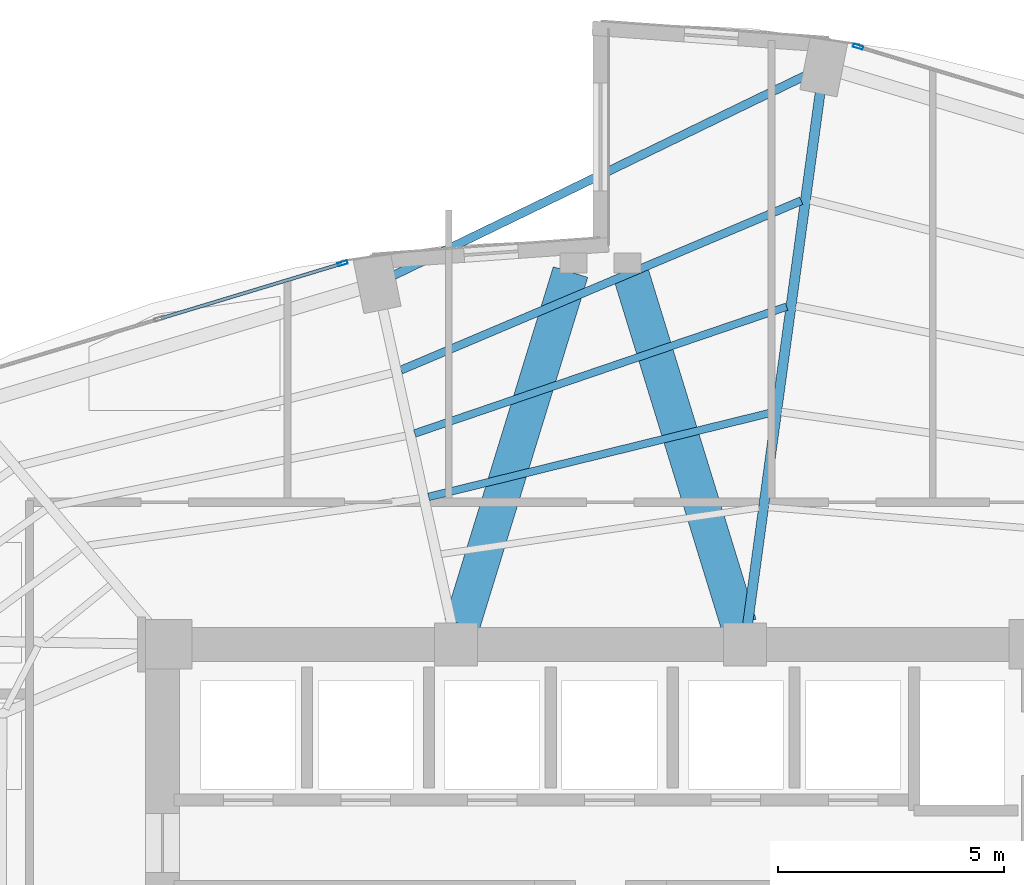
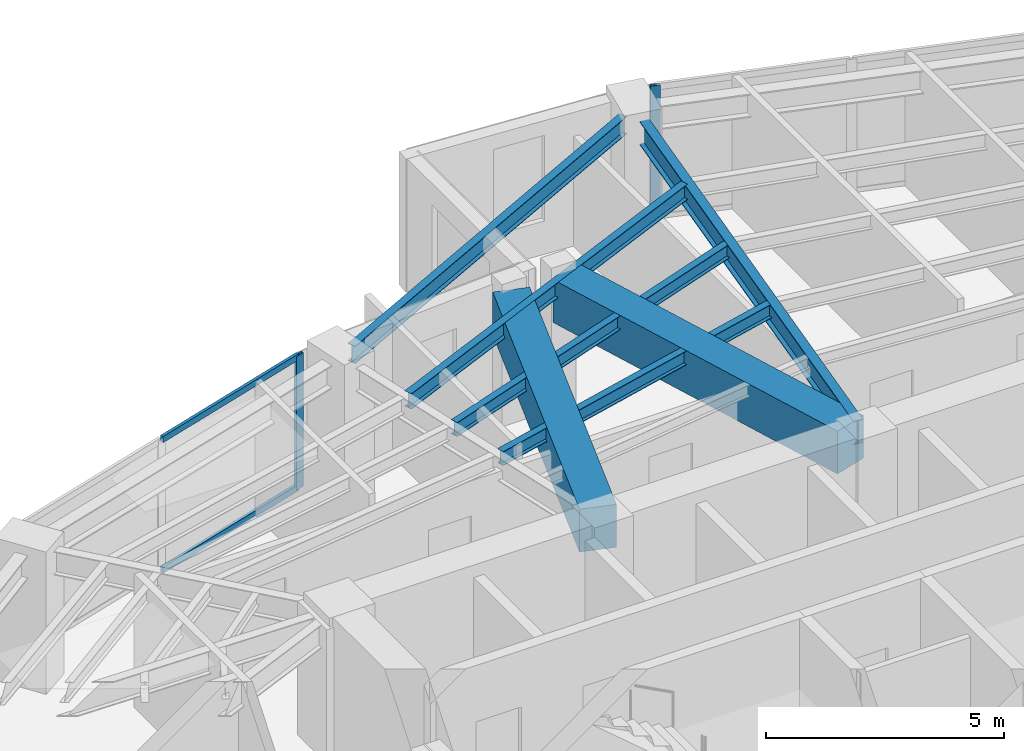
# One storey, part 15 of 23: 7 beams, 4 members, 2 elements without a shape of their own.
"""IFC4 building model written with IfcOpenShell, lengths in metres."""

import ifcopenshell
import ifcopenshell.guid

model = None  # the IFC model being written
_history = None  # IfcOwnerHistory: only IFC2X3 demands one
_inside = {}  # id of a spatial element -> (the spatial element, [elements in it])
_under = {}  # id of a project, library or spatial element -> (it, [spatial elements below it])
_declared = {}  # id of a project -> (the project, [libraries it declares])
_typed = {}  # id of a type object -> (the type object, [elements of that type])
_made_of = {}  # id of a material, layer set ... -> (it, [elements and type objects made of it])


def new_model(schema):
    """Start an empty IFC model of exactly this schema.

    Asked for "IFC4X3", IfcOpenShell would pick the latest addendum, in which some entities
    have other attributes; the version numbers below select the first issue.
    IFC2X3 requires an IfcOwnerHistory on every rooted entity: one is made here for all.
    """
    global model, _history
    if schema == "IFC4X3":
        model = ifcopenshell.file(schema_version=(4, 3, 0, 0))
    else:
        model = ifcopenshell.file(schema=schema)
    _inside.clear()
    _under.clear()
    _declared.clear()
    _typed.clear()
    _made_of.clear()
    _history = None
    if model.schema == "IFC2X3":
        org = make("IfcOrganization", Name="unknown")
        user = make(
            "IfcPersonAndOrganization",
            ThePerson=make("IfcPerson", FamilyName="unknown"),
            TheOrganization=org,
        )
        app = make(
            "IfcApplication",
            ApplicationDeveloper=org,
            Version="unknown",
            ApplicationFullName="unknown",
            ApplicationIdentifier="unknown",
        )
        _history = make(
            "IfcOwnerHistory",
            OwningUser=user,
            OwningApplication=app,
            ChangeAction="ADDED",
            CreationDate=0,
        )
    return model


def make(cls, **values):
    """One entity of the class cls with the attributes given. An attribute that is None is left unset."""
    return model.create_entity(
        cls, **{name: value for name, value in values.items() if value is not None}
    )


def rooted(cls, **values):
    """An entity with a GlobalId (a new one), such as an element, a storey or a relation."""
    return make(cls, GlobalId=ifcopenshell.guid.new(), OwnerHistory=_history, **values)


def si_unit(unit_type, name, prefix=None):
    """IfcSIUnit, for example si_unit("LENGTHUNIT", "METRE", prefix="MILLI")."""
    return make("IfcSIUnit", UnitType=unit_type, Prefix=prefix, Name=name)


def assignment(units):
    """IfcUnitAssignment: the units of a project."""
    return None if units is None else make("IfcUnitAssignment", Units=units)


def point(xyz):
    """IfcCartesianPoint."""
    return None if xyz is None else make("IfcCartesianPoint", Coordinates=xyz)


def direction(xyz):
    """IfcDirection."""
    return None if xyz is None else make("IfcDirection", DirectionRatios=xyz)


def frame(location, z_axis=None, x_axis=None):
    """IfcAxis2Placement3D, a coordinate frame: its origin and axes. An axis left out is left unset."""
    return make(
        "IfcAxis2Placement3D",
        Location=point(location),
        Axis=direction(z_axis),
        RefDirection=direction(x_axis),
    )


def frame_2d(location, x_axis=None):
    """IfcAxis2Placement2D, a coordinate frame in the plane: its origin and x axis."""
    return make(
        "IfcAxis2Placement2D", Location=point(location), RefDirection=direction(x_axis)
    )


def origin():
    """The frame at (0, 0, 0) with its axes left unset."""
    return frame((0.0, 0.0, 0.0))


def origin_2d():
    """The frame at (0, 0) in the plane with its x axis left unset."""
    return frame_2d((0.0, 0.0))


def place(relative_to, where):
    """IfcLocalPlacement: puts the frame where relative to a parent placement (None: the world)."""
    return make(
        "IfcLocalPlacement", PlacementRelTo=relative_to, RelativePlacement=where
    )


def context(
    kind, dimensions, precision=None, world=None, true_north=None, identifier=None
):
    """IfcGeometricRepresentationContext, for example the 3D "Model" context."""
    return make(
        "IfcGeometricRepresentationContext",
        ContextIdentifier=identifier,
        ContextType=kind,
        CoordinateSpaceDimension=dimensions,
        Precision=precision,
        WorldCoordinateSystem=world,
        TrueNorth=true_north,
    )


def subcontext(parent, identifier, kind, view, scale=None):
    """IfcGeometricRepresentationSubContext, for example "Body" below "Model"."""
    return make(
        "IfcGeometricRepresentationSubContext",
        ContextIdentifier=identifier,
        ContextType=kind,
        ParentContext=parent,
        TargetScale=scale,
        TargetView=view,
    )


def project(units=None, contexts=None):
    """IfcProject with its units and contexts."""
    return rooted(
        "IfcProject",
        Name="project",
        RepresentationContexts=contexts,
        UnitsInContext=assignment(units),
    )


def spatial(cls, under=None, at=None, **own):
    """A site, building, storey or space (cls), placed at a placement, below another one or the project."""
    s = rooted(cls, ObjectPlacement=at, **own)
    if under is not None:
        _under.setdefault(under.id(), (under, []))[1].append(s)
    return s


def profile(cls, at=None, kind="AREA", **sizes):
    """A parametric profile (cls). Its sizes go by their IFC names, for example OverallWidth=200.0."""
    return make(cls, ProfileType=kind, Position=at, **sizes)


def rectangle(**sizes):
    """IfcRectangleProfileDef."""
    return profile("IfcRectangleProfileDef", **sizes)


def hollow_rectangle(**sizes):
    """IfcRectangleHollowProfileDef."""
    return profile("IfcRectangleHollowProfileDef", **sizes)


def i_section(**sizes):
    """IfcIShapeProfileDef."""
    return profile("IfcIShapeProfileDef", **sizes)


def extrude(swept, where, along, depth):
    """IfcExtrudedAreaSolid: the profile swept, set in the frame where, extruded along a direction by depth."""
    return make(
        "IfcExtrudedAreaSolid",
        SweptArea=swept,
        Position=where,
        ExtrudedDirection=direction(along),
        Depth=depth,
    )


def shape(context_of_items, identifier, shape_type, items):
    """IfcShapeRepresentation: the items that make up one representation, for example the "Body"."""
    return make(
        "IfcShapeRepresentation",
        ContextOfItems=context_of_items,
        RepresentationIdentifier=identifier,
        RepresentationType=shape_type,
        Items=items,
    )


def material(Name=None, Category=None):
    """IfcMaterial."""
    return make("IfcMaterial", Name=Name, Category=Category)


def layer(
    of_material, thickness, ventilated=None, Name=None, Category=None, Priority=None
):
    """IfcMaterialLayer: one layer of a wall or slab, of a material (None: an air gap)."""
    return make(
        "IfcMaterialLayer",
        Material=of_material,
        LayerThickness=thickness,
        IsVentilated=ventilated,
        Name=Name,
        Category=Category,
        Priority=Priority,
    )


def layer_set(layers, Name=None):
    """IfcMaterialLayerSet."""
    return make("IfcMaterialLayerSet", MaterialLayers=layers, LayerSetName=Name)


def material_profile(
    of_material, cross_section, Name=None, Category=None, Priority=None
):
    """IfcMaterialProfile: a cross section and its material."""
    return make(
        "IfcMaterialProfile",
        Name=Name,
        Material=of_material,
        Profile=cross_section,
        Priority=Priority,
        Category=Category,
    )


def profile_set(profiles, Name=None, composite=None):
    """IfcMaterialProfileSet."""
    return make(
        "IfcMaterialProfileSet",
        Name=Name,
        MaterialProfiles=profiles,
        CompositeProfile=composite,
    )


def made_of(thing, what):
    """Note that an element or type object is made of a material, layer set ...; save() writes the relation."""
    if what is not None:
        _made_of.setdefault(what.id(), (what, []))[1].append(thing)
    return thing


def type_object(cls, material=None, **own):
    """A type object (cls), such as IfcWallType, which elements share."""
    return made_of(rooted(cls, **own), material)


def element(
    cls,
    number,
    at=None,
    inside=None,
    cuts=None,
    type_object=None,
    material=None,
    context=None,
    identifier="Body",
    shape_type=None,
    held_by="IfcProductDefinitionShape",
    body=None,
    shapes=None,
    **own,
):
    """One element of the class cls, such as IfcWall. Its Tag is "e" and its number.

    at: its placement. inside: the storey or other place that contains it. cuts: it is an
    opening in that element (IfcRelVoidsElement). A single representation is given by context,
    identifier, shape_type and body (its items); several are given by shapes. held_by: the class
    of the entity that holds the representations. save() writes the other relations.
    """
    e = rooted(cls, Tag="e%d" % number, ObjectPlacement=at, **own)
    if body is not None:
        shapes = [shape(context, identifier, shape_type, body)]
    if shapes is not None:
        e.Representation = make(held_by, Representations=shapes)
    if inside is not None:
        _inside.setdefault(inside.id(), (inside, []))[1].append(e)
    if cuts is not None:
        rooted(
            "IfcRelVoidsElement", RelatingBuildingElement=cuts, RelatedOpeningElement=e
        )
    if type_object is not None:
        _typed.setdefault(type_object.id(), (type_object, []))[1].append(e)
    return made_of(e, material)


def aggregate(whole, parts):
    """IfcRelAggregates: a whole, such as a stair, and the parts it consists of."""
    return rooted("IfcRelAggregates", RelatingObject=whole, RelatedObjects=parts)


def save(model, path):
    """Write the relations noted so far, then the file.

    IfcRelAggregates (storeys below a building ...), IfcRelContainedInSpatialStructure (elements
    in a storey), IfcRelDefinesByType, IfcRelAssociatesMaterial and IfcRelDeclares: one each for
    every whole, place, type object, material and project.
    """
    for whole, parts in _under.values():
        aggregate(whole, parts)
    for where, things in _inside.values():
        rooted(
            "IfcRelContainedInSpatialStructure",
            RelatedElements=things,
            RelatingStructure=where,
        )
    for kind, things in _typed.values():
        rooted("IfcRelDefinesByType", RelatedObjects=things, RelatingType=kind)
    for what, things in _made_of.values():
        rooted("IfcRelAssociatesMaterial", RelatedObjects=things, RelatingMaterial=what)
    for by, libraries in _declared.values():
        rooted("IfcRelDeclares", RelatingContext=by, RelatedDefinitions=libraries)
    model.write(path)


model = new_model("IFC4")

# Units and contexts
model_context = context("Model", 3, precision=1e-05, world=origin(), true_north=direction((0.0, 1.0)))
body_context = subcontext(model_context, "Body", "Model", "MODEL_VIEW")
ifc_project = project(units=[si_unit("LENGTHUNIT", "METRE"), si_unit("AREAUNIT", "SQUARE_METRE"), si_unit("VOLUMEUNIT", "CUBIC_METRE"), si_unit("PLANEANGLEUNIT", "RADIAN"), si_unit("MASSUNIT", "GRAM", prefix="KILO")], contexts=[model_context])

# Site, building, storey
site_placement = place(None, origin())
site = spatial("IfcSite", under=ifc_project, at=site_placement, CompositionType="ELEMENT")
building_placement = place(site_placement, origin())
building = spatial("IfcBuilding", under=site, at=building_placement, Name="Lazwardi Medical Tower", CompositionType="ELEMENT")
storey_placement = place(building_placement, frame((0.0, 0.0, 85.39208984375)))
storey = spatial("IfcBuildingStorey", under=building, at=storey_placement, Name="L21", CompositionType="ELEMENT", Elevation=85.39208984375)

# Beams
ifc_material_1 = material(Name="Concrete C70/85", Category="concrete")
ifc_material_profile_1 = material_profile(ifc_material_1, rectangle(XDim=0.800048828125, YDim=1.10009765625, at=origin_2d()), Name="RC 800x1100")
ifc_profile_set_1 = profile_set([ifc_material_profile_1], Name="Concrete C70/85")
beam_type_1 = type_object("IfcBeamType", Name="BM-CB-RC1", PredefinedType="LINTEL", material=ifc_profile_set_1)
for number, where, z_axis, x_axis, name in (
    (1, (32.935302734375, 36.039794921875, 2.8779296875), (0.294073251002, 0.955782884888, 0.0), (-0.955782884888, 0.294073251002, 0.0), "Core coupling lintel CB-01 PL1 L21"),
    (2, (39.064697265625, 36.039794921875, 2.8779296875), (-0.294073251002, 0.955782884888, 0.0), (-0.955782884888, -0.294073251002, 0.0), "Core coupling lintel CB-01 PL2 L21"),
):
    element("IfcBeam", number, at=place(storey_placement, frame(where, z_axis=z_axis, x_axis=x_axis)), inside=storey, type_object=beam_type_1, Name=name, PredefinedType="LINTEL", context=body_context, shape_type="SweptSolid", body=[
        extrude(rectangle(XDim=0.800048828125, YDim=1.10009765625, at=origin_2d()), origin(), (0.0, 0.0, 1.0), 8.1708984375),
    ])
ifc_material_2 = material(Name="Steel S355", Category="steel")
ifc_material_profile_2 = material_profile(ifc_material_2, i_section(OverallWidth=0.219970703125, OverallDepth=0.60009765625, WebThickness=0.011962890625, FlangeThickness=0.01904296875, at=origin_2d()), Name="IPE 600")
ifc_profile_set_2 = profile_set([ifc_material_profile_2], Name="Steel S355")
beam_type_2 = type_object("IfcBeamType", Name="BM-RG-W1", PredefinedType="BEAM", material=ifc_profile_set_2)
beam_1_placement = place(storey_placement, frame((40.8671875, 47.82275390625, 3.1279296875), z_axis=(-0.135147148002, -0.990825538825, 0.0), x_axis=(0.990825538825, -0.135147148002, 0.0)))
element("IfcBeam", 3, at=beam_1_placement, inside=storey, type_object=beam_type_2, Name="Radial girder RG-02 R08 L21", PredefinedType="BEAM", context=body_context, shape_type="SweptSolid", body=[
    extrude(i_section(OverallWidth=0.219970703125, OverallDepth=0.60009765625, WebThickness=0.011962890625, FlangeThickness=0.01904296875, at=origin_2d()), origin(), (0.0, 0.0, 1.0), 11.875732421875),
])
ifc_material_profile_3 = material_profile(ifc_material_2, i_section(OverallWidth=0.179931640625, OverallDepth=0.39990234375, WebThickness=0.008544921875, FlangeThickness=0.013427734375, at=origin_2d()), Name="IPE 400")
ifc_profile_set_3 = profile_set([ifc_material_profile_3], Name="Steel S355")
beam_type_3 = type_object("IfcBeamType", Name="BM-SJ-01", PredefinedType="JOIST", material=ifc_profile_set_3)
beam_2_placement = place(storey_placement, frame((40.449462890625, 45.428466796875, 3.22802734375), z_axis=(-0.920947307957, -0.389687125739, 0.0), x_axis=(0.389687125739, -0.920947307957, 0.0)))
element("IfcBeam", 4, at=beam_2_placement, inside=storey, type_object=beam_type_3, Name="Secondary joist SJ-01 R1 B08 L21", PredefinedType="JOIST", context=body_context, shape_type="SweptSolid", body=[
    extrude(i_section(OverallWidth=0.179931640625, OverallDepth=0.39990234375, WebThickness=0.008544921875, FlangeThickness=0.013427734375, at=origin_2d()), origin(), (0.0, 0.0, 1.0), 9.63134765625),
])
ifc_material_profile_4 = material_profile(ifc_material_2, i_section(OverallWidth=0.169921875, OverallDepth=0.360107421875, WebThickness=0.008056640625, FlangeThickness=0.0126953125, at=origin_2d()), Name="IPE 360")
ifc_profile_set_4 = profile_set([ifc_material_profile_4], Name="Steel S355")
beam_type_4 = type_object("IfcBeamType", Name="BM-SJ-02", PredefinedType="JOIST", material=ifc_profile_set_4)
beam_3_placement = place(storey_placement, frame((40.125732421875, 43.08203125, 3.247802734375), z_axis=(-0.946467154368, -0.322800132749, 0.0), x_axis=(0.322800132749, -0.946467154368, 0.0)))
element("IfcBeam", 5, at=beam_3_placement, inside=storey, type_object=beam_type_4, Name="Secondary joist SJ-02 R2 B08 L21", PredefinedType="JOIST", context=body_context, shape_type="SweptSolid", body=[
    extrude(i_section(OverallWidth=0.169921875, OverallDepth=0.360107421875, WebThickness=0.008056640625, FlangeThickness=0.0126953125, at=origin_2d()), origin(), (0.0, 0.0, 1.0), 8.70458984375),
])
beam_4_placement = place(storey_placement, frame((39.80224609375, 40.737548828125, 3.247802734375), z_axis=(-0.97107737879, -0.238764998276, 0.0), x_axis=(0.238764998276, -0.97107737879, 0.0)))
element("IfcBeam", 6, at=beam_4_placement, inside=storey, type_object=beam_type_4, Name="Secondary joist SJ-02 R3 B08 L21", PredefinedType="JOIST", context=body_context, shape_type="SweptSolid", body=[
    extrude(i_section(OverallWidth=0.169921875, OverallDepth=0.360107421875, WebThickness=0.008056640625, FlangeThickness=0.0126953125, at=origin_2d()), origin(), (0.0, 0.0, 1.0), 7.83447265625),
])
ifc_material_profile_5 = material_profile(ifc_material_2, i_section(OverallWidth=0.18994140625, OverallDepth=0.449951171875, WebThickness=0.009521484375, FlangeThickness=0.0146484375, at=origin_2d()), Name="IPE 450")
ifc_profile_set_5 = profile_set([ifc_material_profile_5], Name="Steel S355")
beam_type_5 = type_object("IfcBeamType", Name="BM-SP-01", PredefinedType="SPANDREL", material=ifc_profile_set_5)
beam_5_placement = place(storey_placement, frame((40.57666015625, 48.218505859375, 3.202880859375), z_axis=(-0.899653336227, -0.436604941125, 0.0), x_axis=(0.436604941125, -0.899653336227, 0.0)))
element("IfcBeam", 7, at=beam_5_placement, inside=storey, type_object=beam_type_5, Name="Spandrel beam SP-01 B08 L21", PredefinedType="SPANDREL", context=body_context, shape_type="SweptSolid", body=[
    extrude(i_section(OverallWidth=0.18994140625, OverallDepth=0.449951171875, WebThickness=0.009521484375, FlangeThickness=0.0146484375, at=origin_2d()), origin(), (0.0, 0.0, 1.0), 10.17431640625),
])

# Curtain wall, member
ifc_material_3 = material(Name="Anodised bronze aluminium and solar control glazing", Category="aluminium")
ifc_layer = layer(ifc_material_3, 0.195068359375)
ifc_layer_set = layer_set([ifc_layer], Name="Anodised bronze aluminium and solar control glazing")
curtain_wall_type = type_object("IfcCurtainWallType", Name="CW-SYS-03", PredefinedType="NOTDEFINED", material=ifc_layer_set)
curtain_wall_1_placement = place(storey_placement, origin())
curtain_wall_1 = element("IfcCurtainWall", 8, at=curtain_wall_1_placement, inside=storey, type_object=curtain_wall_type, Name="L21 Unitised bronze curtain wall CW-03", PredefinedType="NOTDEFINED")
ifc_material_4 = material(Name="Anodised bronze aluminium", Category="aluminium")
ifc_material_profile_6 = material_profile(ifc_material_4, hollow_rectangle(XDim=0.074951171875, YDim=0.219970703125, WallThickness=0.00390625, at=origin_2d()), Name="ALU-MULLION 220x75x4")
ifc_profile_set_6 = profile_set([ifc_material_profile_6], Name="Anodised bronze aluminium")
member_type_1 = type_object("IfcMemberType", Name="CW-MUL-01", PredefinedType="MULLION", material=ifc_profile_set_6)
member_1_placement = place(storey_placement, frame((41.710205078125, 48.840087890625, 0.0), z_axis=(0.0, 0.0, 1.0), x_axis=(-0.28937381157, -0.957216170558, 0.0)))
member_1 = element("IfcMember", 9, at=member_1_placement, type_object=member_type_1, Name="CW-03 mullion 3", PredefinedType="MULLION", context=body_context, shape_type="SweptSolid", body=[
    extrude(hollow_rectangle(XDim=0.074951171875, YDim=0.219970703125, WallThickness=0.00390625, at=origin_2d()), origin(), (0.0, 0.0, 1.0), 3.427978515625),
])
aggregate(curtain_wall_1, [member_1])

# Curtain wall, members
curtain_wall_2_placement = place(storey_placement, origin())
curtain_wall_2 = element("IfcCurtainWall", 10, at=curtain_wall_2_placement, inside=storey, type_object=curtain_wall_type, Name="L21 Unitised bronze curtain wall CW-03", PredefinedType="NOTDEFINED")
member_2_placement = place(storey_placement, frame((30.289794921875, 44.0400390625, 0.0), z_axis=(0.0, 0.0, 1.0), x_axis=(0.28937381157, -0.957216170558, 0.0)))
member_2 = element("IfcMember", 11, at=member_2_placement, type_object=member_type_1, Name="CW-03 mullion 1", PredefinedType="MULLION", context=body_context, shape_type="SweptSolid", body=[
    extrude(hollow_rectangle(XDim=0.074951171875, YDim=0.219970703125, WallThickness=0.00390625, at=origin_2d()), origin(), (0.0, 0.0, 1.0), 3.427978515625),
])
ifc_material_profile_7 = material_profile(ifc_material_4, hollow_rectangle(XDim=0.074951171875, YDim=0.159912109375, WallThickness=0.00390625, at=origin_2d()), Name="ALU-TRANSOM 160x75x4")
ifc_profile_set_7 = profile_set([ifc_material_profile_7], Name="Anodised bronze aluminium")
member_type_2 = type_object("IfcMemberType", Name="CW-TRN-01", PredefinedType="USERDEFINED", material=ifc_profile_set_7)
member_3_placement = place(storey_placement, frame((30.25390625, 44.029296875, 0.037353515625), z_axis=(-0.957220865985, -0.289358279168, 0.0), x_axis=(0.289358279168, -0.957220865985, 0.0)))
member_3 = element("IfcMember", 12, at=member_3_placement, type_object=member_type_2, Name="CW-03 transom 1.1", ObjectType="TRANSOM", PredefinedType="USERDEFINED", context=body_context, shape_type="SweptSolid", body=[
    extrude(hollow_rectangle(XDim=0.074951171875, YDim=0.159912109375, WallThickness=0.00390625, at=origin_2d()), origin(), (0.0, 0.0, 1.0), 4.16552734375),
])
member_4_placement = place(storey_placement, frame((30.25390625, 44.029296875, 3.390380859375), z_axis=(-0.957220865985, -0.289358279168, 0.0), x_axis=(0.289358279168, -0.957220865985, 0.0)))
member_4 = element("IfcMember", 13, at=member_4_placement, type_object=member_type_2, Name="CW-03 transom 1.2", ObjectType="TRANSOM", PredefinedType="USERDEFINED", context=body_context, shape_type="SweptSolid", body=[
    extrude(hollow_rectangle(XDim=0.074951171875, YDim=0.159912109375, WallThickness=0.00390625, at=origin_2d()), origin(), (0.0, 0.0, 1.0), 4.16552734375),
])
aggregate(curtain_wall_2, [member_2, member_3, member_4])

save(model, "model.ifc")
